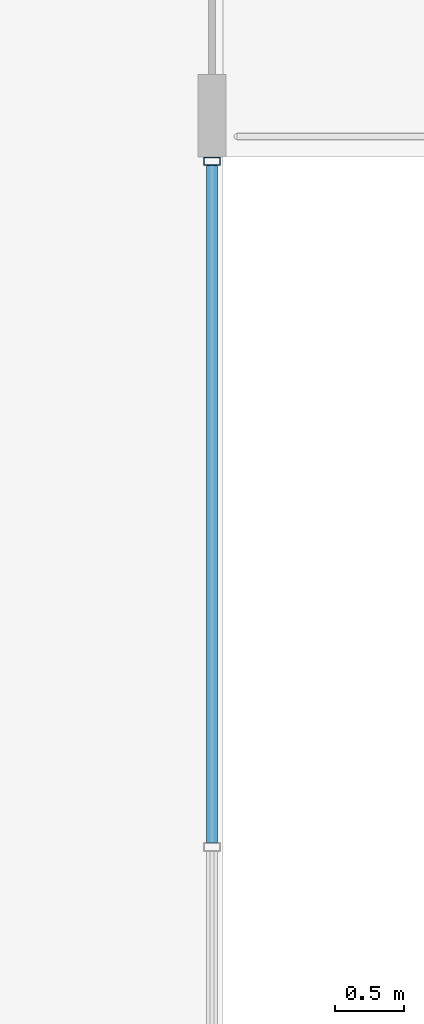
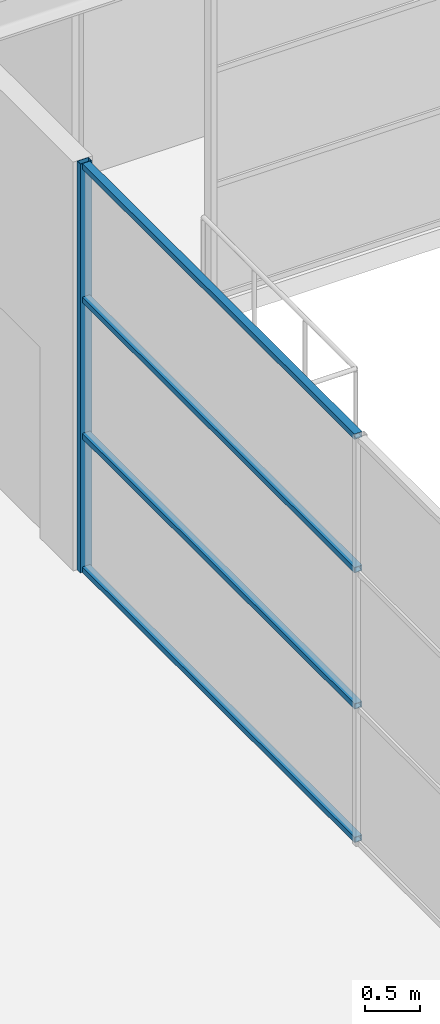
# One storey, part 16 of 70: 5 members, 1 element without a shape of its own.
"""IFC4 building model written with IfcOpenShell, lengths in metres."""

from ifc_helpers import new_model, si_unit, direction, frame, origin, origin_2d, place, context, subcontext, project, spatial, hollow_rectangle, extrude, material, material_profile, profile_set, type_object, element, aggregate, save


model = new_model("IFC4")

# Units and contexts
model_context = context("Model", 3, precision=1e-05, world=origin(), true_north=direction((0.0, 1.0)))
body_context = subcontext(model_context, "Body", "Model", "MODEL_VIEW")
ifc_project = project(units=[si_unit("LENGTHUNIT", "METRE"), si_unit("AREAUNIT", "SQUARE_METRE"), si_unit("VOLUMEUNIT", "CUBIC_METRE"), si_unit("PLANEANGLEUNIT", "RADIAN"), si_unit("MASSUNIT", "GRAM", prefix="KILO")], contexts=[model_context])

# Site, building, storey
site_placement = place(None, origin())
site = spatial("IfcSite", under=ifc_project, at=site_placement, CompositionType="ELEMENT")
building_placement = place(site_placement, origin())
building = spatial("IfcBuilding", under=site, at=building_placement, Name="Kallimachos Central Library", CompositionType="ELEMENT")
storey_placement = place(building_placement, frame((0.0, 0.0, 18.89990234375)))
storey = spatial("IfcBuildingStorey", under=building, at=storey_placement, Name="L04", CompositionType="ELEMENT", Elevation=18.89990234375)

# Curtain wall, members
ifc_material_1 = material(Name="Aluminium and laminated glass", Category="aluminium")
curtain_wall_type = type_object("IfcCurtainWallType", Name="Atrium glazed screen", PredefinedType="NOTDEFINED", material=ifc_material_1)
curtain_wall_placement = place(storey_placement, origin())
curtain_wall = element("IfcCurtainWall", 1, at=curtain_wall_placement, inside=storey, type_object=curtain_wall_type, Name="L04 atrium screen W", PredefinedType="NOTDEFINED")
ifc_material_2 = material(Name="Anodised aluminium", Category="aluminium")
ifc_material_profile_1 = material_profile(ifc_material_2, hollow_rectangle(XDim=0.06005859375, YDim=0.1201171875, WallThickness=0.00390625, at=origin_2d()), Name="ALU MULLION 60x120")
ifc_profile_set_1 = profile_set([ifc_material_profile_1], Name="Anodised aluminium")
member_type_1 = type_object("IfcMemberType", Name="Atrium screen mullion", PredefinedType="MULLION", material=ifc_profile_set_1)
member_1_placement = place(storey_placement, frame((74.419921875, 71.969970703125, 0.0), z_axis=(0.0, 0.0, 1.0), x_axis=(0.0, 1.0, 0.0)))
member_1 = element("IfcMember", 2, at=member_1_placement, type_object=member_type_1, Name="CW mullion 4", PredefinedType="MULLION", context=body_context, shape_type="SweptSolid", body=[
    extrude(hollow_rectangle(XDim=0.06005859375, YDim=0.1201171875, WallThickness=0.00390625, at=origin_2d()), origin(), (0.0, 0.0, 1.0), 4.5),
])
ifc_material_3 = material(Name="Anodised aluminium", Category="aluminium")
ifc_material_profile_2 = material_profile(ifc_material_3, hollow_rectangle(XDim=0.06005859375, YDim=0.080078125, WallThickness=0.00390625, at=origin_2d()), Name="ALU TRANSOM 60x80")
ifc_profile_set_2 = profile_set([ifc_material_profile_2], Name="Anodised aluminium")
member_type_2 = type_object("IfcMemberType", Name="Atrium screen transom", PredefinedType="USERDEFINED", material=ifc_profile_set_2)
member_2_placement = place(storey_placement, frame((74.419921875, 67.030029296875, 0.030029296875), z_axis=(0.0, 1.0, 0.0), x_axis=(0.0, 0.0, 1.0)))
member_2 = element("IfcMember", 3, at=member_2_placement, type_object=member_type_2, Name="CW transom 3.1", ObjectType="TRANSOM", PredefinedType="USERDEFINED", context=body_context, shape_type="SweptSolid", body=[
    extrude(hollow_rectangle(XDim=0.06005859375, YDim=0.080078125, WallThickness=0.00390625, at=origin_2d()), origin(), (0.0, 0.0, 1.0), 4.909912109375),
])
member_3_placement = place(storey_placement, frame((74.419921875, 67.030029296875, 1.5), z_axis=(0.0, 1.0, 0.0), x_axis=(0.0, 0.0, 1.0)))
member_3 = element("IfcMember", 4, at=member_3_placement, type_object=member_type_2, Name="CW transom 3.2", ObjectType="TRANSOM", PredefinedType="USERDEFINED", context=body_context, shape_type="SweptSolid", body=[
    extrude(hollow_rectangle(XDim=0.06005859375, YDim=0.080078125, WallThickness=0.00390625, at=origin_2d()), origin(), (0.0, 0.0, 1.0), 4.909912109375),
])
member_4_placement = place(storey_placement, frame((74.419921875, 67.030029296875, 3.0), z_axis=(0.0, 1.0, 0.0), x_axis=(0.0, 0.0, 1.0)))
member_4 = element("IfcMember", 5, at=member_4_placement, type_object=member_type_2, Name="CW transom 3.3", ObjectType="TRANSOM", PredefinedType="USERDEFINED", context=body_context, shape_type="SweptSolid", body=[
    extrude(hollow_rectangle(XDim=0.06005859375, YDim=0.080078125, WallThickness=0.00390625, at=origin_2d()), origin(), (0.0, 0.0, 1.0), 4.909912109375),
])
member_5_placement = place(storey_placement, frame((74.419921875, 67.030029296875, 4.47021484375), z_axis=(0.0, 1.0, 0.0), x_axis=(0.0, 0.0, 1.0)))
member_5 = element("IfcMember", 6, at=member_5_placement, type_object=member_type_2, Name="CW transom 3.4", ObjectType="TRANSOM", PredefinedType="USERDEFINED", context=body_context, shape_type="SweptSolid", body=[
    extrude(hollow_rectangle(XDim=0.06005859375, YDim=0.080078125, WallThickness=0.00390625, at=origin_2d()), origin(), (0.0, 0.0, 1.0), 4.909912109375),
])
aggregate(curtain_wall, [member_1, member_2, member_3, member_4, member_5])

save(model, "model.ifc")
